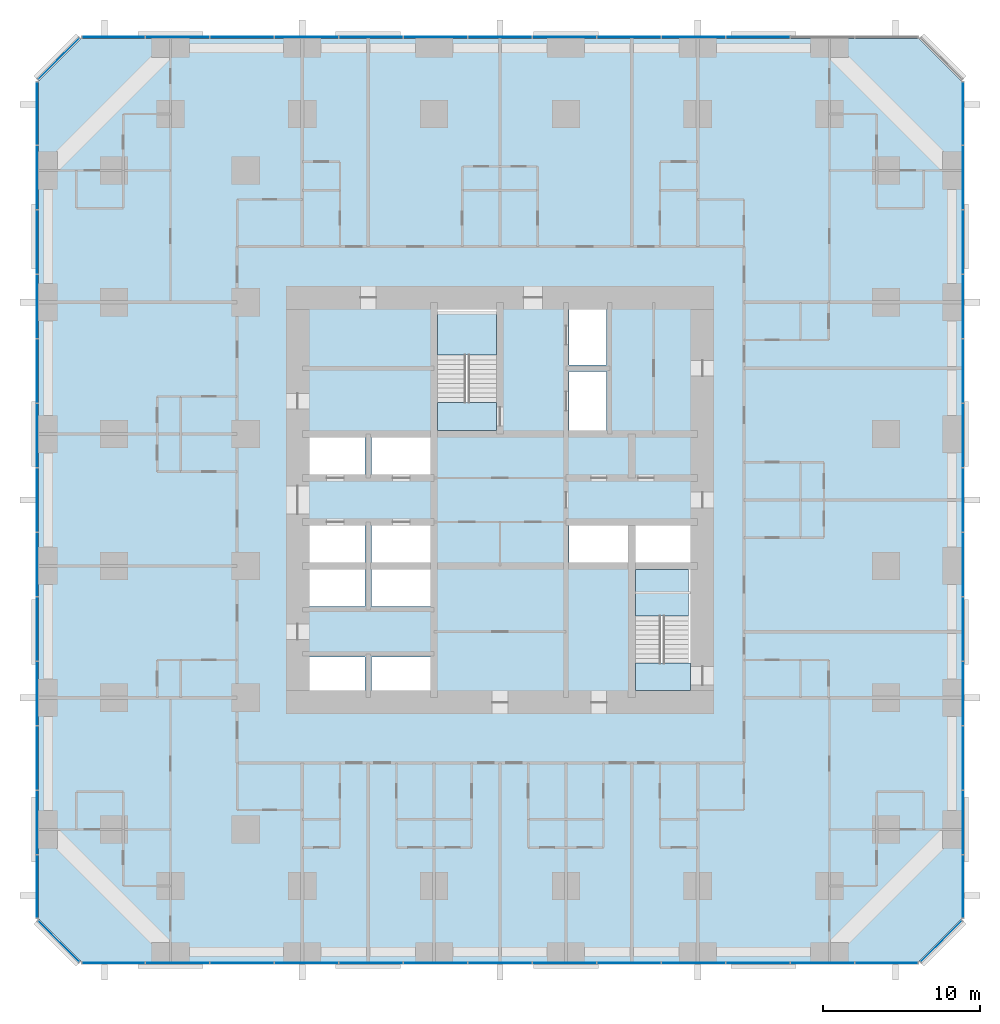
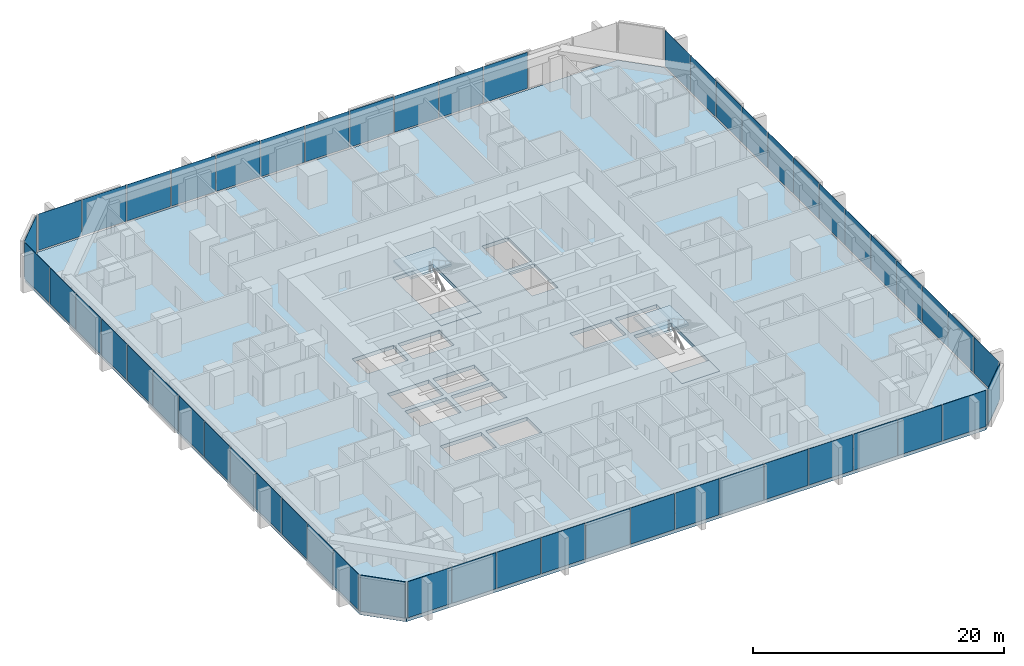
# One storey, part 9 of 17: 53 plates, 5 slabs, 9 elements without a shape of their own.
"""IFC4 building model written with IfcOpenShell, lengths in metres."""

from ifc_helpers import new_model, si_unit, direction, frame, origin, origin_2d, place, context, subcontext, project, spatial, polyline, rectangle, outline, extrude, material, layer, layer_set, type_object, element, aggregate, save


model = new_model("IFC4")

# Units and contexts
model_context = context("Model", 3, precision=1e-05, world=origin(), true_north=direction((0.0, 1.0)))
body_context = subcontext(model_context, "Body", "Model", "MODEL_VIEW")
ifc_project = project(units=[si_unit("LENGTHUNIT", "METRE"), si_unit("AREAUNIT", "SQUARE_METRE"), si_unit("VOLUMEUNIT", "CUBIC_METRE"), si_unit("PLANEANGLEUNIT", "RADIAN"), si_unit("MASSUNIT", "GRAM", prefix="KILO")], contexts=[model_context])

# Site, building, storey
site_placement = place(None, origin())
site = spatial("IfcSite", under=ifc_project, at=site_placement, CompositionType="ELEMENT")
building_placement = place(site_placement, origin())
building = spatial("IfcBuilding", under=site, at=building_placement, Name="Dunama Terrace Hotel", CompositionType="ELEMENT")
storey_placement = place(building_placement, frame((0.0, 0.0, 73.800048828125)))
storey = spatial("IfcBuildingStorey", under=building, at=storey_placement, Name="L18", CompositionType="ELEMENT", Elevation=73.800048828125)

# Curtain wall, plates
ifc_material_1 = material(Name="Aluminium curtain wall system", Category="aluminium")
curtain_wall_type = type_object("IfcCurtainWallType", Name="Unitised fritted glass wall CW-A", PredefinedType="NOTDEFINED", material=ifc_material_1)
curtain_wall_1_placement = place(storey_placement, origin())
curtain_wall_1 = element("IfcCurtainWall", 1, at=curtain_wall_1_placement, inside=storey, type_object=curtain_wall_type, Name="Unitised fritted glass wall CW-A L18", PredefinedType="NOTDEFINED")
ifc_material_2 = material(Name="Laminated glass", Category="glass")
ifc_layer_1 = layer(ifc_material_2, 0.030029296875)
ifc_layer_set_1 = layer_set([ifc_layer_1], Name="CWA clear glass panel")
plate_type_1 = type_object("IfcPlateType", Name="CWA clear glass panel", PredefinedType="CURTAIN_PANEL", material=ifc_layer_set_1)
plate_1_placement = place(storey_placement, frame((12.968994140625, -0.10009765625, 0.074951171875), z_axis=(0.0, 0.0, 1.0), x_axis=(1.0, 0.0, 0.0)))
plate_1 = element("IfcPlate", 2, at=plate_1_placement, type_object=plate_type_1, Name="CWA clear glass panel", PredefinedType="CURTAIN_PANEL", context=body_context, shape_type="SweptSolid", body=[
    extrude(rectangle(XDim=4.042724609375, YDim=0.030029296875, at=origin_2d()), origin(), (0.0, 0.0, 1.0), 3.52490234375),
])
plate_2_placement = place(storey_placement, frame((25.2919921875, -0.10009765625, 0.074951171875), z_axis=(0.0, 0.0, 1.0), x_axis=(1.0, 0.0, 0.0)))
plate_2 = element("IfcPlate", 3, at=plate_2_placement, type_object=plate_type_1, Name="CWA clear glass panel", PredefinedType="CURTAIN_PANEL", context=body_context, shape_type="SweptSolid", body=[
    extrude(rectangle(XDim=4.042724609375, YDim=0.030029296875, at=origin_2d()), origin(), (0.0, 0.0, 1.0), 3.52490234375),
])
plate_3_placement = place(storey_placement, frame((37.614990234375, -0.10009765625, 0.074951171875), z_axis=(0.0, 0.0, 1.0), x_axis=(1.0, 0.0, 0.0)))
plate_3 = element("IfcPlate", 4, at=plate_3_placement, type_object=plate_type_1, Name="CWA clear glass panel", PredefinedType="CURTAIN_PANEL", context=body_context, shape_type="SweptSolid", body=[
    extrude(rectangle(XDim=4.042724609375, YDim=0.030029296875, at=origin_2d()), origin(), (0.0, 0.0, 1.0), 3.52490234375),
])
plate_4_placement = place(storey_placement, frame((49.93798828125, -0.10009765625, 0.074951171875), z_axis=(0.0, 0.0, 1.0), x_axis=(1.0, 0.0, 0.0)))
plate_4 = element("IfcPlate", 5, at=plate_4_placement, type_object=plate_type_1, Name="CWA clear glass panel", PredefinedType="CURTAIN_PANEL", context=body_context, shape_type="SweptSolid", body=[
    extrude(rectangle(XDim=4.042724609375, YDim=0.030029296875, at=origin_2d()), origin(), (0.0, 0.0, 1.0), 3.52490234375),
])

curtain_wall_2_placement = place(storey_placement, origin())
curtain_wall_2 = element("IfcCurtainWall", 6, at=curtain_wall_2_placement, inside=storey, type_object=curtain_wall_type, Name="Unitised fritted glass wall CW-A L18", PredefinedType="NOTDEFINED")
plate_5_placement = place(storey_placement, frame((58.89990234375, 4.77001953125, 0.074951171875), z_axis=(0.0, 0.0, 1.0), x_axis=(0.0, 1.0, 0.0)))
plate_5 = element("IfcPlate", 7, at=plate_5_placement, type_object=plate_type_1, Name="CWA clear glass panel", PredefinedType="CURTAIN_PANEL", context=body_context, shape_type="SweptSolid", body=[
    extrude(rectangle(XDim=4.01025390625, YDim=0.030029296875, at=origin_2d()), origin(), (0.0, 0.0, 1.0), 3.52490234375),
])
plate_6_placement = place(storey_placement, frame((58.89990234375, 17.076904296875, 0.074951171875), z_axis=(0.0, 0.0, 1.0), x_axis=(0.0, 1.0, 0.0)))
plate_6 = element("IfcPlate", 8, at=plate_6_placement, type_object=plate_type_1, Name="CWA clear glass panel", PredefinedType="CURTAIN_PANEL", context=body_context, shape_type="SweptSolid", body=[
    extrude(rectangle(XDim=4.042724609375, YDim=0.030029296875, at=origin_2d()), origin(), (0.0, 0.0, 1.0), 3.52490234375),
])
plate_7_placement = place(storey_placement, frame((58.89990234375, 29.39990234375, 0.074951171875), z_axis=(0.0, 0.0, 1.0), x_axis=(0.0, 1.0, 0.0)))
plate_7 = element("IfcPlate", 9, at=plate_7_placement, type_object=plate_type_1, Name="CWA clear glass panel", PredefinedType="CURTAIN_PANEL", context=body_context, shape_type="SweptSolid", body=[
    extrude(rectangle(XDim=4.042724609375, YDim=0.030029296875, at=origin_2d()), origin(), (0.0, 0.0, 1.0), 3.52490234375),
])
plate_8_placement = place(storey_placement, frame((58.89990234375, 41.722900390625, 0.074951171875), z_axis=(0.0, 0.0, 1.0), x_axis=(0.0, 1.0, 0.0)))
plate_8 = element("IfcPlate", 10, at=plate_8_placement, type_object=plate_type_1, Name="CWA clear glass panel", PredefinedType="CURTAIN_PANEL", context=body_context, shape_type="SweptSolid", body=[
    extrude(rectangle(XDim=4.042724609375, YDim=0.030029296875, at=origin_2d()), origin(), (0.0, 0.0, 1.0), 3.52490234375),
])
plate_9_placement = place(storey_placement, frame((58.89990234375, 54.030029296875, 0.074951171875), z_axis=(0.0, 0.0, 1.0), x_axis=(0.0, 1.0, 0.0)))
plate_9 = element("IfcPlate", 11, at=plate_9_placement, type_object=plate_type_1, Name="CWA clear glass panel", PredefinedType="CURTAIN_PANEL", context=body_context, shape_type="SweptSolid", body=[
    extrude(rectangle(XDim=4.01025390625, YDim=0.030029296875, at=origin_2d()), origin(), (0.0, 0.0, 1.0), 3.52490234375),
])

curtain_wall_3_placement = place(storey_placement, origin())
curtain_wall_3 = element("IfcCurtainWall", 12, at=curtain_wall_3_placement, inside=storey, type_object=curtain_wall_type, Name="Unitised fritted glass wall CW-A L18", PredefinedType="NOTDEFINED")
plate_10_placement = place(storey_placement, frame((37.614990234375, 58.89990234375, 0.074951171875), z_axis=(0.0, 0.0, 1.0), x_axis=(-1.0, 0.0, 0.0)))
plate_10 = element("IfcPlate", 13, at=plate_10_placement, type_object=plate_type_1, Name="CWA clear glass panel", PredefinedType="CURTAIN_PANEL", context=body_context, shape_type="SweptSolid", body=[
    extrude(rectangle(XDim=4.042724609375, YDim=0.030029296875, at=origin_2d()), origin(), (0.0, 0.0, 1.0), 3.52490234375),
])
plate_11_placement = place(storey_placement, frame((25.2919921875, 58.89990234375, 0.074951171875), z_axis=(0.0, 0.0, 1.0), x_axis=(-1.0, 0.0, 0.0)))
plate_11 = element("IfcPlate", 14, at=plate_11_placement, type_object=plate_type_1, Name="CWA clear glass panel", PredefinedType="CURTAIN_PANEL", context=body_context, shape_type="SweptSolid", body=[
    extrude(rectangle(XDim=4.042724609375, YDim=0.030029296875, at=origin_2d()), origin(), (0.0, 0.0, 1.0), 3.52490234375),
])
plate_12_placement = place(storey_placement, frame((12.968994140625, 58.89990234375, 0.074951171875), z_axis=(0.0, 0.0, 1.0), x_axis=(-1.0, 0.0, 0.0)))
plate_12 = element("IfcPlate", 15, at=plate_12_placement, type_object=plate_type_1, Name="CWA clear glass panel", PredefinedType="CURTAIN_PANEL", context=body_context, shape_type="SweptSolid", body=[
    extrude(rectangle(XDim=4.042724609375, YDim=0.030029296875, at=origin_2d()), origin(), (0.0, 0.0, 1.0), 3.52490234375),
])

# Curtain wall, plate
curtain_wall_4_placement = place(storey_placement, origin())
curtain_wall_4 = element("IfcCurtainWall", 16, at=curtain_wall_4_placement, inside=storey, type_object=curtain_wall_type, Name="Unitised fritted glass wall CW-A L18", PredefinedType="NOTDEFINED")
plate_13_placement = place(storey_placement, frame((1.279052734375, 57.52099609375, 0.074951171875), z_axis=(0.0, 0.0, 1.0), x_axis=(-0.707106781187, -0.707106781187, 0.0)))
plate_13 = element("IfcPlate", 17, at=plate_13_placement, type_object=plate_type_1, Name="CWA clear glass panel", PredefinedType="CURTAIN_PANEL", context=body_context, shape_type="SweptSolid", body=[
    extrude(rectangle(XDim=3.6884765625, YDim=0.030029296875, at=origin_2d()), origin(), (0.0, 0.0, 1.0), 3.52490234375),
])
aggregate(curtain_wall_4, [plate_13])

# Curtain wall, plates
curtain_wall_5_placement = place(storey_placement, origin())
curtain_wall_5 = element("IfcCurtainWall", 18, at=curtain_wall_5_placement, inside=storey, type_object=curtain_wall_type, Name="Unitised fritted glass wall CW-A L18", PredefinedType="NOTDEFINED")
plate_14_placement = place(storey_placement, frame((-0.10009765625, 45.8310546875, 0.074951171875), z_axis=(0.0, 0.0, 1.0), x_axis=(0.0, -1.0, 0.0)))
plate_14 = element("IfcPlate", 19, at=plate_14_placement, type_object=plate_type_1, Name="CWA clear glass panel", PredefinedType="CURTAIN_PANEL", context=body_context, shape_type="SweptSolid", body=[
    extrude(rectangle(XDim=4.042724609375, YDim=0.030029296875, at=origin_2d()), origin(), (0.0, 0.0, 1.0), 3.52490234375),
])
plate_15_placement = place(storey_placement, frame((-0.10009765625, 33.508056640625, 0.074951171875), z_axis=(0.0, 0.0, 1.0), x_axis=(0.0, -1.0, 0.0)))
plate_15 = element("IfcPlate", 20, at=plate_15_placement, type_object=plate_type_1, Name="CWA clear glass panel", PredefinedType="CURTAIN_PANEL", context=body_context, shape_type="SweptSolid", body=[
    extrude(rectangle(XDim=4.042724609375, YDim=0.030029296875, at=origin_2d()), origin(), (0.0, 0.0, 1.0), 3.52490234375),
])
plate_16_placement = place(storey_placement, frame((-0.10009765625, 21.18505859375, 0.074951171875), z_axis=(0.0, 0.0, 1.0), x_axis=(0.0, -1.0, 0.0)))
plate_16 = element("IfcPlate", 21, at=plate_16_placement, type_object=plate_type_1, Name="CWA clear glass panel", PredefinedType="CURTAIN_PANEL", context=body_context, shape_type="SweptSolid", body=[
    extrude(rectangle(XDim=4.042724609375, YDim=0.030029296875, at=origin_2d()), origin(), (0.0, 0.0, 1.0), 3.52490234375),
])
plate_17_placement = place(storey_placement, frame((-0.10009765625, 8.862060546875, 0.074951171875), z_axis=(0.0, 0.0, 1.0), x_axis=(0.0, -1.0, 0.0)))
plate_17 = element("IfcPlate", 22, at=plate_17_placement, type_object=plate_type_1, Name="CWA clear glass panel", PredefinedType="CURTAIN_PANEL", context=body_context, shape_type="SweptSolid", body=[
    extrude(rectangle(XDim=4.042724609375, YDim=0.030029296875, at=origin_2d()), origin(), (0.0, 0.0, 1.0), 3.52490234375),
])

# Plate
ifc_material_3 = material(Name="Fritted laminated glass", Category="glass")
ifc_layer_2 = layer(ifc_material_3, 0.030029296875)
ifc_layer_set_2 = layer_set([ifc_layer_2], Name="CWA fritted glass panel")
plate_type_2 = type_object("IfcPlateType", Name="CWA fritted glass panel", PredefinedType="CURTAIN_PANEL", material=ifc_layer_set_2)
plate_18_placement = place(storey_placement, frame((8.862060546875, -0.10009765625, 0.074951171875), z_axis=(0.0, 0.0, 1.0), x_axis=(1.0, 0.0, 0.0)))
plate_18 = element("IfcPlate", 23, at=plate_18_placement, type_object=plate_type_2, Name="CWA fritted glass panel", PredefinedType="CURTAIN_PANEL", context=body_context, shape_type="SweptSolid", body=[
    extrude(rectangle(XDim=4.042724609375, YDim=0.030029296875, at=origin_2d()), origin(), (0.0, 0.0, 1.0), 3.52490234375),
])

plate_19_placement = place(storey_placement, frame((21.18505859375, -0.10009765625, 0.074951171875), z_axis=(0.0, 0.0, 1.0), x_axis=(1.0, 0.0, 0.0)))
plate_19 = element("IfcPlate", 24, at=plate_19_placement, type_object=plate_type_2, Name="CWA fritted glass panel", PredefinedType="CURTAIN_PANEL", context=body_context, shape_type="SweptSolid", body=[
    extrude(rectangle(XDim=4.042724609375, YDim=0.030029296875, at=origin_2d()), origin(), (0.0, 0.0, 1.0), 3.52490234375),
])

plate_20_placement = place(storey_placement, frame((33.508056640625, -0.10009765625, 0.074951171875), z_axis=(0.0, 0.0, 1.0), x_axis=(1.0, 0.0, 0.0)))
plate_20 = element("IfcPlate", 25, at=plate_20_placement, type_object=plate_type_2, Name="CWA fritted glass panel", PredefinedType="CURTAIN_PANEL", context=body_context, shape_type="SweptSolid", body=[
    extrude(rectangle(XDim=4.042724609375, YDim=0.030029296875, at=origin_2d()), origin(), (0.0, 0.0, 1.0), 3.52490234375),
])

plate_21_placement = place(storey_placement, frame((45.8310546875, -0.10009765625, 0.074951171875), z_axis=(0.0, 0.0, 1.0), x_axis=(1.0, 0.0, 0.0)))
plate_21 = element("IfcPlate", 26, at=plate_21_placement, type_object=plate_type_2, Name="CWA fritted glass panel", PredefinedType="CURTAIN_PANEL", context=body_context, shape_type="SweptSolid", body=[
    extrude(rectangle(XDim=4.042724609375, YDim=0.030029296875, at=origin_2d()), origin(), (0.0, 0.0, 1.0), 3.52490234375),
])

# Curtain wall, plate
curtain_wall_6_placement = place(storey_placement, origin())
curtain_wall_6 = element("IfcCurtainWall", 27, at=curtain_wall_6_placement, inside=storey, type_object=curtain_wall_type, Name="Unitised fritted glass wall CW-A L18", PredefinedType="NOTDEFINED")
plate_22_placement = place(storey_placement, frame((57.52099609375, 1.279052734375, 0.074951171875), z_axis=(0.0, 0.0, 1.0), x_axis=(0.707106781187, 0.707106781187, 0.0)))
plate_22 = element("IfcPlate", 28, at=plate_22_placement, type_object=plate_type_2, Name="CWA fritted glass panel", PredefinedType="CURTAIN_PANEL", context=body_context, shape_type="SweptSolid", body=[
    extrude(rectangle(XDim=3.6884765625, YDim=0.030029296875, at=origin_2d()), origin(), (0.0, 0.0, 1.0), 3.52490234375),
])
aggregate(curtain_wall_6, [plate_22])

# Plate
plate_23_placement = place(storey_placement, frame((58.89990234375, 12.968994140625, 0.074951171875), z_axis=(0.0, 0.0, 1.0), x_axis=(0.0, 1.0, 0.0)))
plate_23 = element("IfcPlate", 29, at=plate_23_placement, type_object=plate_type_2, Name="CWA fritted glass panel", PredefinedType="CURTAIN_PANEL", context=body_context, shape_type="SweptSolid", body=[
    extrude(rectangle(XDim=4.042724609375, YDim=0.030029296875, at=origin_2d()), origin(), (0.0, 0.0, 1.0), 3.52490234375),
])

plate_24_placement = place(storey_placement, frame((58.89990234375, 25.2919921875, 0.074951171875), z_axis=(0.0, 0.0, 1.0), x_axis=(0.0, 1.0, 0.0)))
plate_24 = element("IfcPlate", 30, at=plate_24_placement, type_object=plate_type_2, Name="CWA fritted glass panel", PredefinedType="CURTAIN_PANEL", context=body_context, shape_type="SweptSolid", body=[
    extrude(rectangle(XDim=4.042724609375, YDim=0.030029296875, at=origin_2d()), origin(), (0.0, 0.0, 1.0), 3.52490234375),
])

plate_25_placement = place(storey_placement, frame((58.89990234375, 37.614990234375, 0.074951171875), z_axis=(0.0, 0.0, 1.0), x_axis=(0.0, 1.0, 0.0)))
plate_25 = element("IfcPlate", 31, at=plate_25_placement, type_object=plate_type_2, Name="CWA fritted glass panel", PredefinedType="CURTAIN_PANEL", context=body_context, shape_type="SweptSolid", body=[
    extrude(rectangle(XDim=4.042724609375, YDim=0.030029296875, at=origin_2d()), origin(), (0.0, 0.0, 1.0), 3.52490234375),
])

plate_26_placement = place(storey_placement, frame((58.89990234375, 49.93798828125, 0.074951171875), z_axis=(0.0, 0.0, 1.0), x_axis=(0.0, 1.0, 0.0)))
plate_26 = element("IfcPlate", 32, at=plate_26_placement, type_object=plate_type_2, Name="CWA fritted glass panel", PredefinedType="CURTAIN_PANEL", context=body_context, shape_type="SweptSolid", body=[
    extrude(rectangle(XDim=4.042724609375, YDim=0.030029296875, at=origin_2d()), origin(), (0.0, 0.0, 1.0), 3.52490234375),
])

plate_27_placement = place(storey_placement, frame((41.722900390625, 58.89990234375, 0.074951171875), z_axis=(0.0, 0.0, 1.0), x_axis=(-1.0, 0.0, 0.0)))
plate_27 = element("IfcPlate", 33, at=plate_27_placement, type_object=plate_type_2, Name="CWA fritted glass panel", PredefinedType="CURTAIN_PANEL", context=body_context, shape_type="SweptSolid", body=[
    extrude(rectangle(XDim=4.042724609375, YDim=0.030029296875, at=origin_2d()), origin(), (0.0, 0.0, 1.0), 3.52490234375),
])

plate_28_placement = place(storey_placement, frame((29.39990234375, 58.89990234375, 0.074951171875), z_axis=(0.0, 0.0, 1.0), x_axis=(-1.0, 0.0, 0.0)))
plate_28 = element("IfcPlate", 34, at=plate_28_placement, type_object=plate_type_2, Name="CWA fritted glass panel", PredefinedType="CURTAIN_PANEL", context=body_context, shape_type="SweptSolid", body=[
    extrude(rectangle(XDim=4.042724609375, YDim=0.030029296875, at=origin_2d()), origin(), (0.0, 0.0, 1.0), 3.52490234375),
])

plate_29_placement = place(storey_placement, frame((17.076904296875, 58.89990234375, 0.074951171875), z_axis=(0.0, 0.0, 1.0), x_axis=(-1.0, 0.0, 0.0)))
plate_29 = element("IfcPlate", 35, at=plate_29_placement, type_object=plate_type_2, Name="CWA fritted glass panel", PredefinedType="CURTAIN_PANEL", context=body_context, shape_type="SweptSolid", body=[
    extrude(rectangle(XDim=4.042724609375, YDim=0.030029296875, at=origin_2d()), origin(), (0.0, 0.0, 1.0), 3.52490234375),
])

plate_30_placement = place(storey_placement, frame((4.77001953125, 58.89990234375, 0.074951171875), z_axis=(0.0, 0.0, 1.0), x_axis=(-1.0, 0.0, 0.0)))
plate_30 = element("IfcPlate", 36, at=plate_30_placement, type_object=plate_type_2, Name="CWA fritted glass panel", PredefinedType="CURTAIN_PANEL", context=body_context, shape_type="SweptSolid", body=[
    extrude(rectangle(XDim=4.01025390625, YDim=0.030029296875, at=origin_2d()), origin(), (0.0, 0.0, 1.0), 3.52490234375),
])

plate_31_placement = place(storey_placement, frame((-0.10009765625, 49.93798828125, 0.074951171875), z_axis=(0.0, 0.0, 1.0), x_axis=(0.0, -1.0, 0.0)))
plate_31 = element("IfcPlate", 37, at=plate_31_placement, type_object=plate_type_2, Name="CWA fritted glass panel", PredefinedType="CURTAIN_PANEL", context=body_context, shape_type="SweptSolid", body=[
    extrude(rectangle(XDim=4.042724609375, YDim=0.030029296875, at=origin_2d()), origin(), (0.0, 0.0, 1.0), 3.52490234375),
])

plate_32_placement = place(storey_placement, frame((-0.10009765625, 37.614990234375, 0.074951171875), z_axis=(0.0, 0.0, 1.0), x_axis=(0.0, -1.0, 0.0)))
plate_32 = element("IfcPlate", 38, at=plate_32_placement, type_object=plate_type_2, Name="CWA fritted glass panel", PredefinedType="CURTAIN_PANEL", context=body_context, shape_type="SweptSolid", body=[
    extrude(rectangle(XDim=4.042724609375, YDim=0.030029296875, at=origin_2d()), origin(), (0.0, 0.0, 1.0), 3.52490234375),
])

plate_33_placement = place(storey_placement, frame((-0.10009765625, 25.2919921875, 0.074951171875), z_axis=(0.0, 0.0, 1.0), x_axis=(0.0, -1.0, 0.0)))
plate_33 = element("IfcPlate", 39, at=plate_33_placement, type_object=plate_type_2, Name="CWA fritted glass panel", PredefinedType="CURTAIN_PANEL", context=body_context, shape_type="SweptSolid", body=[
    extrude(rectangle(XDim=4.042724609375, YDim=0.030029296875, at=origin_2d()), origin(), (0.0, 0.0, 1.0), 3.52490234375),
])

plate_34_placement = place(storey_placement, frame((-0.10009765625, 12.968994140625, 0.074951171875), z_axis=(0.0, 0.0, 1.0), x_axis=(0.0, -1.0, 0.0)))
plate_34 = element("IfcPlate", 40, at=plate_34_placement, type_object=plate_type_2, Name="CWA fritted glass panel", PredefinedType="CURTAIN_PANEL", context=body_context, shape_type="SweptSolid", body=[
    extrude(rectangle(XDim=4.042724609375, YDim=0.030029296875, at=origin_2d()), origin(), (0.0, 0.0, 1.0), 3.52490234375),
])

# Curtain wall, plate
curtain_wall_7_placement = place(storey_placement, origin())
curtain_wall_7 = element("IfcCurtainWall", 41, at=curtain_wall_7_placement, inside=storey, type_object=curtain_wall_type, Name="Unitised fritted glass wall CW-A L18", PredefinedType="NOTDEFINED")
plate_35_placement = place(storey_placement, frame((1.279052734375, 1.279052734375, 0.074951171875), z_axis=(0.0, 0.0, 1.0), x_axis=(0.707106781187, -0.707106781187, 0.0)))
plate_35 = element("IfcPlate", 42, at=plate_35_placement, type_object=plate_type_2, Name="CWA fritted glass panel", PredefinedType="CURTAIN_PANEL", context=body_context, shape_type="SweptSolid", body=[
    extrude(rectangle(XDim=3.6884765625, YDim=0.030029296875, at=origin_2d()), origin(), (0.0, 0.0, 1.0), 3.52490234375),
])
aggregate(curtain_wall_7, [plate_35])

# Plate
ifc_material_4 = material(Name="Laminated glass", Category="glass")
ifc_layer_3 = layer(ifc_material_4, 0.030029296875)
ifc_layer_set_3 = layer_set([ifc_layer_3], Name="CWA operable glass panel")
plate_type_3 = type_object("IfcPlateType", Name="CWA operable glass panel", PredefinedType="CURTAIN_PANEL", material=ifc_layer_set_3)
plate_36_placement = place(storey_placement, frame((4.77001953125, -0.10009765625, 0.074951171875), z_axis=(0.0, 0.0, 1.0), x_axis=(1.0, 0.0, 0.0)))
plate_36 = element("IfcPlate", 43, at=plate_36_placement, type_object=plate_type_3, Name="CWA operable glass panel", PredefinedType="CURTAIN_PANEL", context=body_context, shape_type="SweptSolid", body=[
    extrude(rectangle(XDim=4.01025390625, YDim=0.030029296875, at=origin_2d()), origin(), (0.0, 0.0, 1.0), 3.52490234375),
])

plate_37_placement = place(storey_placement, frame((17.076904296875, -0.10009765625, 0.074951171875), z_axis=(0.0, 0.0, 1.0), x_axis=(1.0, 0.0, 0.0)))
plate_37 = element("IfcPlate", 44, at=plate_37_placement, type_object=plate_type_3, Name="CWA operable glass panel", PredefinedType="CURTAIN_PANEL", context=body_context, shape_type="SweptSolid", body=[
    extrude(rectangle(XDim=4.042724609375, YDim=0.030029296875, at=origin_2d()), origin(), (0.0, 0.0, 1.0), 3.52490234375),
])

plate_38_placement = place(storey_placement, frame((29.39990234375, -0.10009765625, 0.074951171875), z_axis=(0.0, 0.0, 1.0), x_axis=(1.0, 0.0, 0.0)))
plate_38 = element("IfcPlate", 45, at=plate_38_placement, type_object=plate_type_3, Name="CWA operable glass panel", PredefinedType="CURTAIN_PANEL", context=body_context, shape_type="SweptSolid", body=[
    extrude(rectangle(XDim=4.042724609375, YDim=0.030029296875, at=origin_2d()), origin(), (0.0, 0.0, 1.0), 3.52490234375),
])

plate_39_placement = place(storey_placement, frame((41.722900390625, -0.10009765625, 0.074951171875), z_axis=(0.0, 0.0, 1.0), x_axis=(1.0, 0.0, 0.0)))
plate_39 = element("IfcPlate", 46, at=plate_39_placement, type_object=plate_type_3, Name="CWA operable glass panel", PredefinedType="CURTAIN_PANEL", context=body_context, shape_type="SweptSolid", body=[
    extrude(rectangle(XDim=4.042724609375, YDim=0.030029296875, at=origin_2d()), origin(), (0.0, 0.0, 1.0), 3.52490234375),
])

plate_40_placement = place(storey_placement, frame((54.030029296875, -0.10009765625, 0.074951171875), z_axis=(0.0, 0.0, 1.0), x_axis=(1.0, 0.0, 0.0)))
plate_40 = element("IfcPlate", 47, at=plate_40_placement, type_object=plate_type_3, Name="CWA operable glass panel", PredefinedType="CURTAIN_PANEL", context=body_context, shape_type="SweptSolid", body=[
    extrude(rectangle(XDim=4.01025390625, YDim=0.030029296875, at=origin_2d()), origin(), (0.0, 0.0, 1.0), 3.52490234375),
])

aggregate(curtain_wall_1, [plate_36, plate_18, plate_1, plate_37, plate_19, plate_2, plate_38, plate_20, plate_3, plate_39, plate_21, plate_4, plate_40])

plate_41_placement = place(storey_placement, frame((58.89990234375, 8.862060546875, 0.074951171875), z_axis=(0.0, 0.0, 1.0), x_axis=(0.0, 1.0, 0.0)))
plate_41 = element("IfcPlate", 48, at=plate_41_placement, type_object=plate_type_3, Name="CWA operable glass panel", PredefinedType="CURTAIN_PANEL", context=body_context, shape_type="SweptSolid", body=[
    extrude(rectangle(XDim=4.042724609375, YDim=0.030029296875, at=origin_2d()), origin(), (0.0, 0.0, 1.0), 3.52490234375),
])

plate_42_placement = place(storey_placement, frame((58.89990234375, 21.18505859375, 0.074951171875), z_axis=(0.0, 0.0, 1.0), x_axis=(0.0, 1.0, 0.0)))
plate_42 = element("IfcPlate", 49, at=plate_42_placement, type_object=plate_type_3, Name="CWA operable glass panel", PredefinedType="CURTAIN_PANEL", context=body_context, shape_type="SweptSolid", body=[
    extrude(rectangle(XDim=4.042724609375, YDim=0.030029296875, at=origin_2d()), origin(), (0.0, 0.0, 1.0), 3.52490234375),
])

plate_43_placement = place(storey_placement, frame((58.89990234375, 33.508056640625, 0.074951171875), z_axis=(0.0, 0.0, 1.0), x_axis=(0.0, 1.0, 0.0)))
plate_43 = element("IfcPlate", 50, at=plate_43_placement, type_object=plate_type_3, Name="CWA operable glass panel", PredefinedType="CURTAIN_PANEL", context=body_context, shape_type="SweptSolid", body=[
    extrude(rectangle(XDim=4.042724609375, YDim=0.030029296875, at=origin_2d()), origin(), (0.0, 0.0, 1.0), 3.52490234375),
])

plate_44_placement = place(storey_placement, frame((58.89990234375, 45.8310546875, 0.074951171875), z_axis=(0.0, 0.0, 1.0), x_axis=(0.0, 1.0, 0.0)))
plate_44 = element("IfcPlate", 51, at=plate_44_placement, type_object=plate_type_3, Name="CWA operable glass panel", PredefinedType="CURTAIN_PANEL", context=body_context, shape_type="SweptSolid", body=[
    extrude(rectangle(XDim=4.042724609375, YDim=0.030029296875, at=origin_2d()), origin(), (0.0, 0.0, 1.0), 3.52490234375),
])

aggregate(curtain_wall_2, [plate_5, plate_41, plate_23, plate_6, plate_42, plate_24, plate_7, plate_43, plate_25, plate_8, plate_44, plate_26, plate_9])

plate_45_placement = place(storey_placement, frame((45.8310546875, 58.89990234375, 0.074951171875), z_axis=(0.0, 0.0, 1.0), x_axis=(-1.0, 0.0, 0.0)))
plate_45 = element("IfcPlate", 52, at=plate_45_placement, type_object=plate_type_3, Name="CWA operable glass panel", PredefinedType="CURTAIN_PANEL", context=body_context, shape_type="SweptSolid", body=[
    extrude(rectangle(XDim=4.042724609375, YDim=0.030029296875, at=origin_2d()), origin(), (0.0, 0.0, 1.0), 3.52490234375),
])

plate_46_placement = place(storey_placement, frame((33.508056640625, 58.89990234375, 0.074951171875), z_axis=(0.0, 0.0, 1.0), x_axis=(-1.0, 0.0, 0.0)))
plate_46 = element("IfcPlate", 53, at=plate_46_placement, type_object=plate_type_3, Name="CWA operable glass panel", PredefinedType="CURTAIN_PANEL", context=body_context, shape_type="SweptSolid", body=[
    extrude(rectangle(XDim=4.042724609375, YDim=0.030029296875, at=origin_2d()), origin(), (0.0, 0.0, 1.0), 3.52490234375),
])

plate_47_placement = place(storey_placement, frame((21.18505859375, 58.89990234375, 0.074951171875), z_axis=(0.0, 0.0, 1.0), x_axis=(-1.0, 0.0, 0.0)))
plate_47 = element("IfcPlate", 54, at=plate_47_placement, type_object=plate_type_3, Name="CWA operable glass panel", PredefinedType="CURTAIN_PANEL", context=body_context, shape_type="SweptSolid", body=[
    extrude(rectangle(XDim=4.042724609375, YDim=0.030029296875, at=origin_2d()), origin(), (0.0, 0.0, 1.0), 3.52490234375),
])

plate_48_placement = place(storey_placement, frame((8.862060546875, 58.89990234375, 0.074951171875), z_axis=(0.0, 0.0, 1.0), x_axis=(-1.0, 0.0, 0.0)))
plate_48 = element("IfcPlate", 55, at=plate_48_placement, type_object=plate_type_3, Name="CWA operable glass panel", PredefinedType="CURTAIN_PANEL", context=body_context, shape_type="SweptSolid", body=[
    extrude(rectangle(XDim=4.042724609375, YDim=0.030029296875, at=origin_2d()), origin(), (0.0, 0.0, 1.0), 3.52490234375),
])

aggregate(curtain_wall_3, [plate_45, plate_27, plate_10, plate_46, plate_28, plate_11, plate_47, plate_29, plate_12, plate_48, plate_30])

plate_49_placement = place(storey_placement, frame((-0.10009765625, 54.030029296875, 0.074951171875), z_axis=(0.0, 0.0, 1.0), x_axis=(0.0, -1.0, 0.0)))
plate_49 = element("IfcPlate", 56, at=plate_49_placement, type_object=plate_type_3, Name="CWA operable glass panel", PredefinedType="CURTAIN_PANEL", context=body_context, shape_type="SweptSolid", body=[
    extrude(rectangle(XDim=4.01025390625, YDim=0.030029296875, at=origin_2d()), origin(), (0.0, 0.0, 1.0), 3.52490234375),
])

plate_50_placement = place(storey_placement, frame((-0.10009765625, 41.722900390625, 0.074951171875), z_axis=(0.0, 0.0, 1.0), x_axis=(0.0, -1.0, 0.0)))
plate_50 = element("IfcPlate", 57, at=plate_50_placement, type_object=plate_type_3, Name="CWA operable glass panel", PredefinedType="CURTAIN_PANEL", context=body_context, shape_type="SweptSolid", body=[
    extrude(rectangle(XDim=4.042724609375, YDim=0.030029296875, at=origin_2d()), origin(), (0.0, 0.0, 1.0), 3.52490234375),
])

plate_51_placement = place(storey_placement, frame((-0.10009765625, 29.39990234375, 0.074951171875), z_axis=(0.0, 0.0, 1.0), x_axis=(0.0, -1.0, 0.0)))
plate_51 = element("IfcPlate", 58, at=plate_51_placement, type_object=plate_type_3, Name="CWA operable glass panel", PredefinedType="CURTAIN_PANEL", context=body_context, shape_type="SweptSolid", body=[
    extrude(rectangle(XDim=4.042724609375, YDim=0.030029296875, at=origin_2d()), origin(), (0.0, 0.0, 1.0), 3.52490234375),
])

plate_52_placement = place(storey_placement, frame((-0.10009765625, 17.076904296875, 0.074951171875), z_axis=(0.0, 0.0, 1.0), x_axis=(0.0, -1.0, 0.0)))
plate_52 = element("IfcPlate", 59, at=plate_52_placement, type_object=plate_type_3, Name="CWA operable glass panel", PredefinedType="CURTAIN_PANEL", context=body_context, shape_type="SweptSolid", body=[
    extrude(rectangle(XDim=4.042724609375, YDim=0.030029296875, at=origin_2d()), origin(), (0.0, 0.0, 1.0), 3.52490234375),
])

plate_53_placement = place(storey_placement, frame((-0.10009765625, 4.77001953125, 0.074951171875), z_axis=(0.0, 0.0, 1.0), x_axis=(0.0, -1.0, 0.0)))
plate_53 = element("IfcPlate", 60, at=plate_53_placement, type_object=plate_type_3, Name="CWA operable glass panel", PredefinedType="CURTAIN_PANEL", context=body_context, shape_type="SweptSolid", body=[
    extrude(rectangle(XDim=4.01025390625, YDim=0.030029296875, at=origin_2d()), origin(), (0.0, 0.0, 1.0), 3.52490234375),
])

aggregate(curtain_wall_5, [plate_49, plate_31, plate_14, plate_50, plate_32, plate_15, plate_51, plate_33, plate_16, plate_52, plate_34, plate_17, plate_53])

# Slab
ifc_material_5 = material(Name="Concrete C40/50", Category="concrete")
ifc_layer_4 = layer(ifc_material_5, 0.35009765625)
ifc_layer_set_4 = layer_set([ifc_layer_4], Name="Flat plate 350")
slab_type_1 = type_object("IfcSlabType", Name="Flat plate 350", PredefinedType="FLOOR", material=ifc_layer_set_4)
slab_1_placement = place(storey_placement, frame((0.0, 0.0, -0.35009765625)))
element("IfcSlab", 61, at=slab_1_placement, inside=storey, type_object=slab_type_1, Name="Floor slab L18", PredefinedType="FLOOR", context=body_context, shape_type="SweptSolid", body=[
    extrude(outline(polyline([(2.699951171875, 0.0), (56.10009765625, 0.0), (58.800048828125, 2.699951171875), (58.800048828125, 56.10009765625), (56.10009765625, 58.800048828125), (2.699951171875, 58.800048828125), (0.0, 56.10009765625), (0.0, 2.699951171875), (2.699951171875, 0.0)]), holes=[polyline([(20.800048828125, 25.39990234375), (20.800048828125, 27.800048828125), (17.0, 27.800048828125), (17.0, 25.39990234375), (20.800048828125, 25.39990234375)]), polyline([(25.0, 25.39990234375), (25.0, 27.800048828125), (21.199951171875, 27.800048828125), (21.199951171875, 25.39990234375), (25.0, 25.39990234375)]), polyline([(20.800048828125, 31.0), (20.800048828125, 33.39990234375), (17.0, 33.39990234375), (17.0, 31.0), (20.800048828125, 31.0)]), polyline([(25.0, 31.0), (25.0, 33.39990234375), (21.199951171875, 33.39990234375), (21.199951171875, 31.0), (25.0, 31.0)]), polyline([(37.60009765625, 25.39990234375), (37.60009765625, 27.800048828125), (33.800048828125, 27.800048828125), (33.800048828125, 25.39990234375), (37.60009765625, 25.39990234375)]), polyline([(41.800048828125, 25.39990234375), (41.800048828125, 27.800048828125), (38.0, 27.800048828125), (38.0, 25.39990234375), (41.800048828125, 25.39990234375)]), polyline([(20.800048828125, 17.0), (20.800048828125, 19.39990234375), (17.0, 19.39990234375), (17.0, 17.0), (20.800048828125, 17.0)]), polyline([(25.0, 17.0), (25.0, 19.39990234375), (21.199951171875, 19.39990234375), (21.199951171875, 17.0), (25.0, 17.0)]), polyline([(20.800048828125, 22.60009765625), (20.800048828125, 25.0), (17.0, 25.0), (17.0, 22.60009765625), (20.800048828125, 22.60009765625)]), polyline([(25.0, 22.60009765625), (25.0, 25.0), (21.199951171875, 25.0), (21.199951171875, 22.60009765625), (25.0, 22.60009765625)]), polyline([(36.199951171875, 38.0), (36.199951171875, 41.800048828125), (33.800048828125, 41.800048828125), (33.800048828125, 38.0), (36.199951171875, 38.0)]), polyline([(36.199951171875, 33.800048828125), (36.199951171875, 37.60009765625), (33.800048828125, 37.60009765625), (33.800048828125, 33.800048828125), (36.199951171875, 33.800048828125)]), polyline([(29.175048828125, 33.824951171875), (29.175048828125, 41.550048828125), (25.425048828125, 41.550048828125), (25.425048828125, 33.824951171875), (29.175048828125, 33.824951171875)]), polyline([(41.550048828125, 17.25), (41.550048828125, 24.97509765625), (38.050048828125, 24.97509765625), (38.050048828125, 17.25), (41.550048828125, 17.25)])]), origin(), (0.0, 0.0, 1.0), 0.35009765625),
])

# Stair, slabs
ifc_material_6 = material(Name="Concrete C40/50", Category="concrete")
stair_type_1 = type_object("IfcStairType", Name="Stair ST1-3600-1800", PredefinedType="HALF_TURN_STAIR", material=ifc_material_6)
stair_1_placement = place(storey_placement, origin())
stair_1 = element("IfcStair", 62, at=stair_1_placement, inside=storey, type_object=stair_type_1, Name="Stair ST1 L18", PredefinedType="HALF_TURN_STAIR")
ifc_material_7 = material(Name="Concrete C40/50", Category="concrete")
ifc_layer_5 = layer(ifc_material_7, 0.199951171875)
ifc_layer_set_5 = layer_set([ifc_layer_5], Name="Stair landing 200")
slab_type_2 = type_object("IfcSlabType", Name="Stair landing 200", PredefinedType="LANDING", material=ifc_layer_set_5)
slab_2_placement = place(storey_placement, frame((0.0, 0.0, -0.199951171875)))
slab_2 = element("IfcSlab", 63, at=slab_2_placement, type_object=slab_type_2, Name="ST1 landing 1, type S10", PredefinedType="LANDING", context=body_context, shape_type="SweptSolid", body=[
    extrude(outline(polyline([(25.425048828125, 33.824951171875), (29.175048828125, 33.824951171875), (29.175048828125, 35.625), (25.425048828125, 35.625), (25.425048828125, 33.824951171875)])), origin(), (0.0, 0.0, 1.0), 0.199951171875),
])
slab_3_placement = place(storey_placement, frame((0.0, 0.0, 1.599853515625)))
slab_3 = element("IfcSlab", 64, at=slab_3_placement, type_object=slab_type_2, Name="ST1 landing 2, type S10", PredefinedType="LANDING", context=body_context, shape_type="SweptSolid", body=[
    extrude(outline(polyline([(25.425048828125, 38.625), (29.175048828125, 38.625), (29.175048828125, 41.39990234375), (25.425048828125, 41.39990234375), (25.425048828125, 38.625)])), origin(), (0.0, 0.0, 1.0), 0.2001953125),
])
aggregate(stair_1, [slab_2, slab_3])

ifc_material_8 = material(Name="Concrete C40/50", Category="concrete")
stair_type_2 = type_object("IfcStairType", Name="Stair ST2-3600-1600", PredefinedType="HALF_TURN_STAIR", material=ifc_material_8)
stair_2_placement = place(storey_placement, origin())
stair_2 = element("IfcStair", 65, at=stair_2_placement, inside=storey, type_object=stair_type_2, Name="Stair ST2 L18", PredefinedType="HALF_TURN_STAIR")
slab_4_placement = place(storey_placement, frame((0.0, 0.0, -0.199951171875)))
slab_4 = element("IfcSlab", 66, at=slab_4_placement, type_object=slab_type_2, Name="ST2 landing 1, type S10", PredefinedType="LANDING", context=body_context, shape_type="SweptSolid", body=[
    extrude(outline(polyline([(38.050048828125, 17.25), (41.550048828125, 17.25), (41.550048828125, 19.0), (38.050048828125, 19.0), (38.050048828125, 17.25)])), origin(), (0.0, 0.0, 1.0), 0.199951171875),
])
slab_5_placement = place(storey_placement, frame((0.0, 0.0, 1.599853515625)))
slab_5 = element("IfcSlab", 67, at=slab_5_placement, type_object=slab_type_2, Name="ST2 landing 2, type S10", PredefinedType="LANDING", context=body_context, shape_type="SweptSolid", body=[
    extrude(outline(polyline([(38.050048828125, 22.0), (41.39990234375, 22.0), (41.39990234375, 24.97509765625), (38.050048828125, 24.97509765625), (38.050048828125, 22.0)])), origin(), (0.0, 0.0, 1.0), 0.2001953125),
])
aggregate(stair_2, [slab_4, slab_5])

save(model, "model.ifc")
